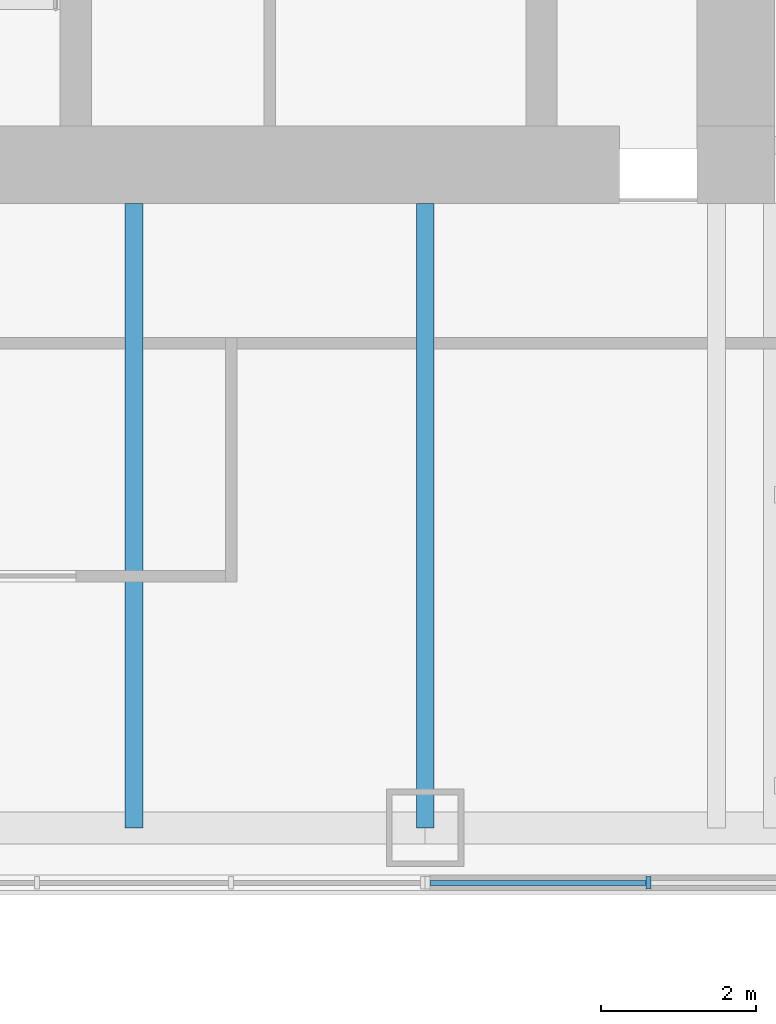
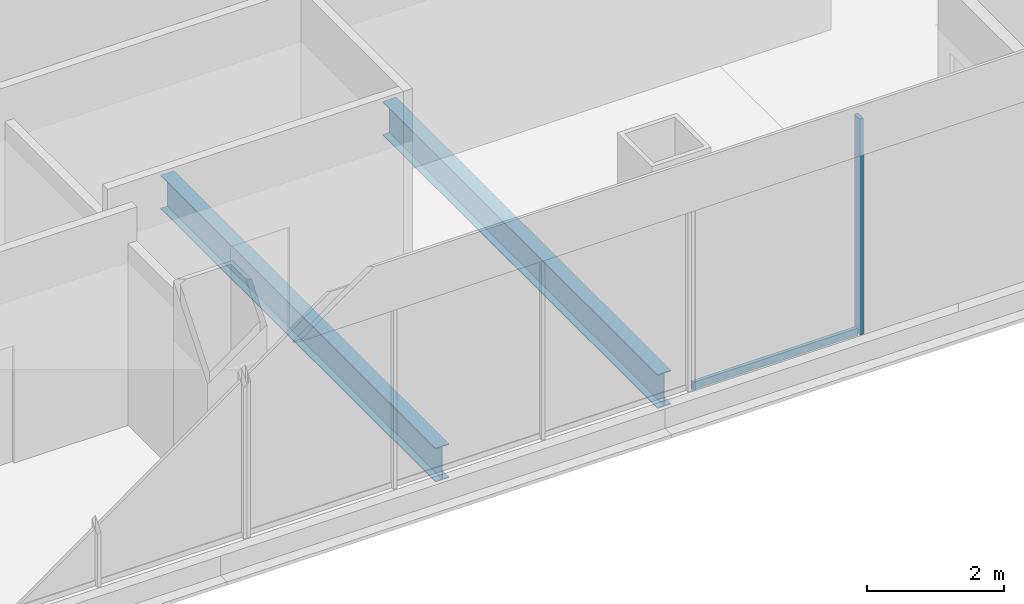
# One storey, part 3 of 14: 2 beams, 2 members, 1 element without a shape of its own.
"""IFC4 building model written with IfcOpenShell, lengths in metres."""

from ifc_helpers import new_model, si_unit, direction, frame, origin, origin_2d, place, context, subcontext, project, spatial, rectangle, i_section, extrude, material, material_profile, profile_set, type_object, element, aggregate, save


model = new_model("IFC4")

# Units and contexts
model_context = context("Model", 3, precision=1e-05, world=origin(), true_north=direction((0.0, 1.0)))
body_context = subcontext(model_context, "Body", "Model", "MODEL_VIEW")
ifc_project = project(units=[si_unit("LENGTHUNIT", "METRE"), si_unit("AREAUNIT", "SQUARE_METRE"), si_unit("VOLUMEUNIT", "CUBIC_METRE"), si_unit("PLANEANGLEUNIT", "RADIAN"), si_unit("MASSUNIT", "GRAM", prefix="KILO")], contexts=[model_context])

# Site, building, storey
site_placement = place(None, origin())
site = spatial("IfcSite", under=ifc_project, at=site_placement, CompositionType="ELEMENT")
building_placement = place(site_placement, origin())
building = spatial("IfcBuilding", under=site, at=building_placement, Name="Tarangal Relay Tower", CompositionType="ELEMENT")
storey_placement = place(building_placement, frame((0.0, 0.0, 267.89990234375)))
storey = spatial("IfcBuildingStorey", under=building, at=storey_placement, Name="L58", CompositionType="ELEMENT", Elevation=267.89990234375)

# Beams
ifc_material_1 = material(Name="Steel ASTM A992", Category="steel")
ifc_material_profile_1 = material_profile(ifc_material_1, i_section(OverallWidth=0.228271484375, OverallDepth=0.607177734375, WebThickness=0.01123046875, FlangeThickness=0.017333984375, at=origin_2d()), Name="W24X76")
ifc_profile_set_1 = profile_set([ifc_material_profile_1], Name="Steel ASTM A992")
beam_type = type_object("IfcBeamType", Name="Floor beam W24X76", PredefinedType="BEAM", material=ifc_profile_set_1)
for number, where, z_axis, x_axis, name in (
    (1, (7.5, -12.0, -0.453369140625), (0.0, -1.0, 0.0), (1.0, 0.0, 0.0), "Floor beam RB5 S L58"),
    (2, (3.75, -12.0, -0.453369140625), (0.0, -1.0, 0.0), (1.0, 0.0, 0.0), "Floor beam RB5 S L58"),
):
    element("IfcBeam", number, at=place(storey_placement, frame(where, z_axis=z_axis, x_axis=x_axis)), inside=storey, type_object=beam_type, Name=name, PredefinedType="BEAM", context=body_context, shape_type="SweptSolid", body=[
        extrude(i_section(OverallWidth=0.228271484375, OverallDepth=0.607177734375, WebThickness=0.01123046875, FlangeThickness=0.017333984375, at=origin_2d()), origin(), (0.0, 0.0, 1.0), 8.0400390625),
    ])

# Curtain wall, members
ifc_material_2 = material(Name="Unitised curtain wall frame, black aluminium, with metal clad infill walls", Category="aluminium")
curtain_wall_type = type_object("IfcCurtainWallType", Name="Curtain wall CW-BO", PredefinedType="USERDEFINED", material=ifc_material_2)
curtain_wall_placement = place(storey_placement, origin())
curtain_wall = element("IfcCurtainWall", 3, at=curtain_wall_placement, inside=storey, type_object=curtain_wall_type, Name="Curtain wall CW-BO S facade L58", ObjectType="UNITISED CURTAIN WALL", PredefinedType="USERDEFINED")
ifc_material_3 = material(Name="Black anodised aluminium mullion", Category="aluminium")
ifc_material_profile_2 = material_profile(ifc_material_3, rectangle(XDim=0.159912109375, YDim=0.06005859375, at=origin_2d()), Name="CW-BOM 60X160")
ifc_profile_set_2 = profile_set([ifc_material_profile_2], Name="Black anodised aluminium mullion")
member_type_1 = type_object("IfcMemberType", Name="Mullion CW-BO 60 x 160", PredefinedType="MULLION", material=ifc_profile_set_2)
member_1_placement = place(storey_placement, frame((10.375, -20.75, 0.0), z_axis=(0.0, 0.0, 1.0), x_axis=(0.0, -1.0, 0.0)))
member_1 = element("IfcMember", 4, at=member_1_placement, type_object=member_type_1, Name="CW-BO mullion 2", PredefinedType="MULLION", context=body_context, shape_type="SweptSolid", body=[
    extrude(rectangle(XDim=0.159912109375, YDim=0.06005859375, at=origin_2d()), origin(), (0.0, 0.0, 1.0), 3.85009765625),
])
ifc_material_4 = material(Name="Black anodised aluminium transom", Category="aluminium")
ifc_material_profile_3 = material_profile(ifc_material_4, rectangle(XDim=0.06005859375, YDim=0.1298828125, at=origin_2d()), Name="CW-BOT 60X130")
ifc_profile_set_3 = profile_set([ifc_material_profile_3], Name="Black anodised aluminium transom")
member_type_2 = type_object("IfcMemberType", Name="Transom CW-BO 60 x 130", PredefinedType="USERDEFINED", material=ifc_profile_set_3)
member_2_placement = place(storey_placement, frame((10.344970703125, -20.75, 0.030029296875), z_axis=(-1.0, 0.0, 0.0), x_axis=(0.0, -1.0, 0.0)))
member_2 = element("IfcMember", 5, at=member_2_placement, type_object=member_type_2, Name="CW-BO transom 2.1", ObjectType="TRANSOM", PredefinedType="USERDEFINED", context=body_context, shape_type="SweptSolid", body=[
    extrude(rectangle(XDim=0.06005859375, YDim=0.1298828125, at=origin_2d()), origin(), (0.0, 0.0, 1.0), 2.784912109375),
])
aggregate(curtain_wall, [member_1, member_2])

save(model, "model.ifc")
